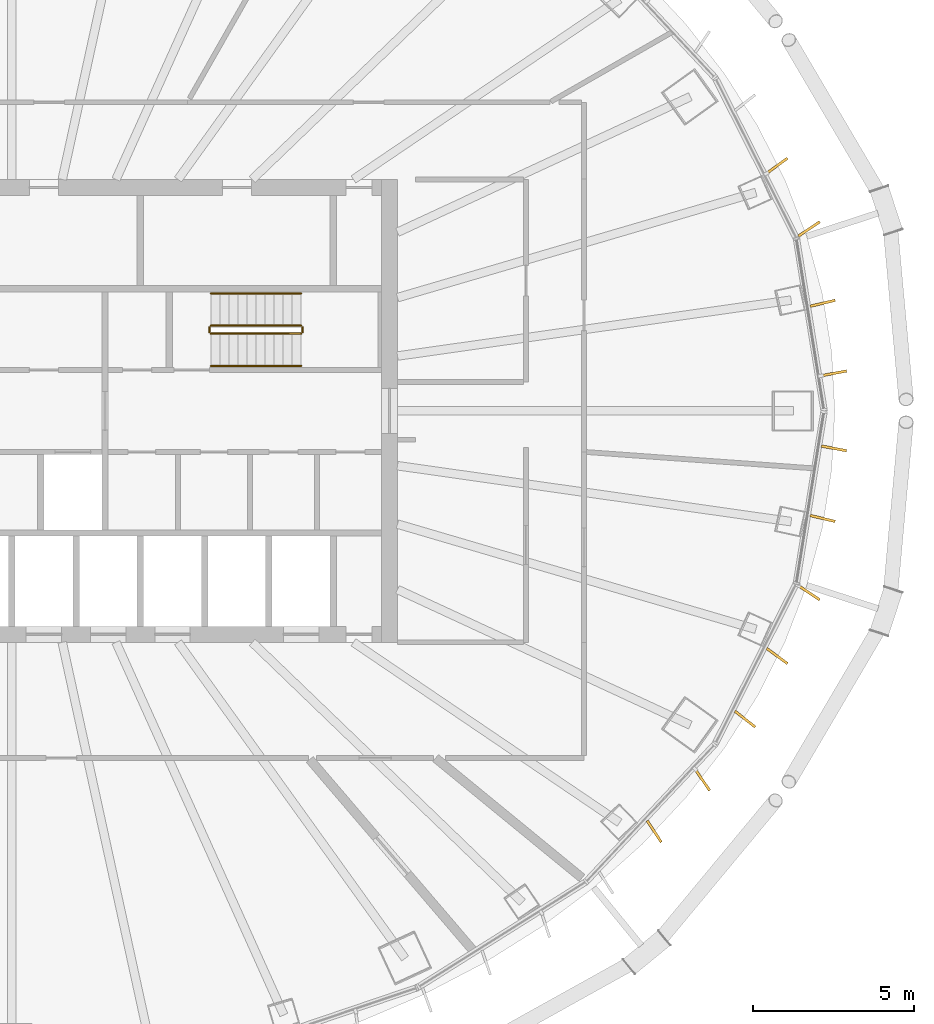
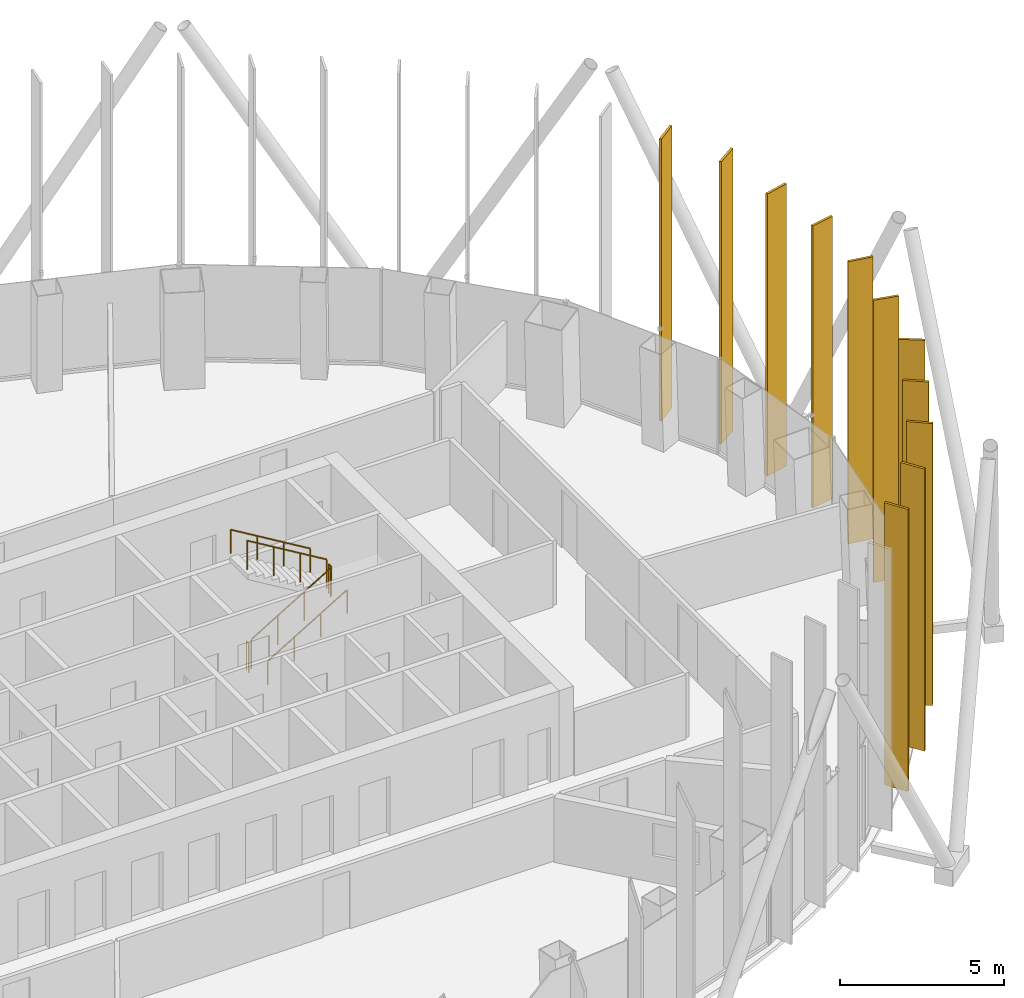
# One storey, part 18 of 19: 11 shading devices, 6 railings.
"""IFC4 building model written with IfcOpenShell, lengths in metres."""

from ifc_helpers import new_model, si_unit, direction, frame, origin, origin_2d, place, context, subcontext, project, spatial, rectangle, circle, extrude, material, layer, layer_set, type_object, element, save


model = new_model("IFC4")

# Units and contexts
model_context = context("Model", 3, precision=1e-05, world=origin(), true_north=direction((0.0, 1.0)))
body_context = subcontext(model_context, "Body", "Model", "MODEL_VIEW")
ifc_project = project(units=[si_unit("LENGTHUNIT", "METRE"), si_unit("AREAUNIT", "SQUARE_METRE"), si_unit("VOLUMEUNIT", "CUBIC_METRE"), si_unit("PLANEANGLEUNIT", "RADIAN"), si_unit("MASSUNIT", "GRAM", prefix="KILO")], contexts=[model_context])

# Site, building, storey
site_placement = place(None, origin())
site = spatial("IfcSite", under=ifc_project, at=site_placement, CompositionType="ELEMENT")
building_placement = place(site_placement, origin())
building = spatial("IfcBuilding", under=site, at=building_placement, Name="Siaravel Broadcast Tower", CompositionType="ELEMENT")
storey_placement = place(building_placement, frame((0.0, 0.0, 119.300048828125)))
storey = spatial("IfcBuildingStorey", under=building, at=storey_placement, Name="L28", CompositionType="ELEMENT", Elevation=119.300048828125)

# Shading devices
ifc_material_1 = material(Name="Bronze anodised aluminium", Category="aluminium")
ifc_layer = layer(ifc_material_1, 0.080078125)
ifc_layer_set = layer_set([ifc_layer], Name="Bronze anodised aluminium")
shading_device_type = type_object("IfcShadingDeviceType", Name="Bronze fin zone 2", PredefinedType="USERDEFINED", material=ifc_layer_set)
for number, where, z_axis, x_axis, name in (
    (1, (25.57763671875, 1.16748046875, 0.300048828125), (0.0, 0.0, 1.0), (0.982943054, 0.183910177, 0.0), "Bronze fin L28-01"),
    (2, (25.226318359375, 3.347412109375, 0.300048828125), (0.0, 0.0, 1.0), (0.972393954, 0.233345233, 0.0), "Bronze fin L28-02"),
    (3, (24.802490234375, 5.6591796875, 0.300048828125), (0.0, 0.0, 1.0), (0.830273079, 0.557356811, 0.0), "Bronze fin L28-03"),
    (4, (23.80615234375, 7.624755859375, 0.300048828125), (0.0, 0.0, 1.0), (0.807137574, 0.590363394, 0.0), "Bronze fin L28-04"),
    (5, (19.985107421875, -13.081787109375, 0.300048828125), (0.0, 0.0, 1.0), (0.548520906, -0.83613684, 0.0), "Bronze fin L28-60"),
    (6, (21.48583984375, -11.481689453125, 0.300048828125), (0.0, 0.0, 1.0), (0.561615585, -0.827398293, 0.0), "Bronze fin L28-61"),
    (7, (22.810791015625, -9.587890625, 0.300048828125), (0.0, 0.0, 1.0), (0.786810082, -0.617195184, 0.0), "Bronze fin L28-62"),
    (8, (23.80615234375, -7.624755859375, 0.300048828125), (0.0, 0.0, 1.0), (0.807137574, -0.590363394, 0.0), "Bronze fin L28-63"),
    (9, (24.802490234375, -5.6591796875, 0.300048828125), (0.0, 0.0, 1.0), (0.830273079, -0.557356811, 0.0), "Bronze fin L28-64"),
    (10, (25.226318359375, -3.347412109375, 0.300048828125), (0.0, 0.0, 1.0), (0.972393954, -0.233345233, 0.0), "Bronze fin L28-65"),
    (11, (25.57763671875, -1.16748046875, 0.300048828125), (0.0, 0.0, 1.0), (0.982943054, -0.183910177, 0.0), "Bronze fin L28-66"),
):
    element("IfcShadingDevice", number, at=place(storey_placement, frame(where, z_axis=z_axis, x_axis=x_axis)), inside=storey, type_object=shading_device_type, Name=name, ObjectType="FIN", PredefinedType="USERDEFINED", context=body_context, shape_type="SweptSolid", body=[
        extrude(rectangle(XDim=0.800048828125, YDim=0.080078125, at=origin_2d()), origin(), (0.0, 0.0, 1.0), 10.5),
    ])

# Railings
ifc_material_2 = material(Name="Stainless steel 316L", Category="steel")
railing_type_1 = type_object("IfcRailingType", Name="Stair guard 1100", PredefinedType="GUARDRAIL", material=ifc_material_2)
railing_1_placement = place(storey_placement, frame((6.199951171875, 2.39990234375, 0.168212890625)))
element("IfcRailing", 12, at=railing_1_placement, inside=storey, type_object=railing_type_1, Name="L28 ST-2 stair guard 1", PredefinedType="GUARDRAIL", context=body_context, shape_type="SweptSolid", body=[
    extrude(circle(Radius=0.02392578125, at=origin_2d()), frame((0.0, 0.0, 1.076171875), z_axis=(0.857275203, 0.0, 0.514858453), x_axis=(0.0, 1.0, 0.0)), (0.0, 0.0, 1.0), 3.26611328125),
    extrude(circle(Radius=0.02099609375, at=origin_2d()), origin(), (0.0, 0.0, 1.0), 1.052001953125),
    extrude(circle(Radius=0.02099609375, at=origin_2d()), frame((0.933349609375, 0.0, 0.560546875)), (0.0, 0.0, 1.0), 1.052001953125),
    extrude(circle(Radius=0.02099609375, at=origin_2d()), frame((1.86669921875, 0.0, 1.12109375)), (0.0, 0.0, 1.0), 1.052001953125),
    extrude(circle(Radius=0.02099609375, at=origin_2d()), frame((2.800048828125, 0.0, 1.681640625)), (0.0, 0.0, 1.0), 1.052001953125),
])
railing_2_placement = place(storey_placement, frame((9.050048828125, 2.449951171875, 1.849853515625)))
element("IfcRailing", 13, at=railing_2_placement, inside=storey, type_object=railing_type_1, Name="L28 ST-2 stair guard 2", PredefinedType="GUARDRAIL", context=body_context, shape_type="SweptSolid", body=[
    extrude(circle(Radius=0.02392578125, at=origin_2d()), frame((0.0, 0.0, 1.076171875), z_axis=(0.0, 1.0, 0.0), x_axis=(-1.0, 0.0, 0.0)), (0.0, 0.0, 1.0), 0.150146484375),
    extrude(circle(Radius=0.02099609375, at=origin_2d()), origin(), (0.0, 0.0, 1.0), 1.052001953125),
    extrude(circle(Radius=0.02099609375, at=origin_2d()), frame((0.0, 0.150146484375, 0.0)), (0.0, 0.0, 1.0), 1.052001953125),
])
railing_3_placement = place(storey_placement, frame((9.0, 2.64990234375, 2.01806640625)))
element("IfcRailing", 14, at=railing_3_placement, inside=storey, type_object=railing_type_1, Name="L28 ST-2 stair guard 3", PredefinedType="GUARDRAIL", context=body_context, shape_type="SweptSolid", body=[
    extrude(circle(Radius=0.02392578125, at=origin_2d()), frame((0.0, 0.0, 1.076171875), z_axis=(-0.857242211, 0.0, 0.514913383), x_axis=(0.0, -1.0, 0.0)), (0.0, 0.0, 1.0), 3.266357421875),
    extrude(circle(Radius=0.02099609375, at=origin_2d()), origin(), (0.0, 0.0, 1.0), 1.052001953125),
    extrude(circle(Radius=0.02099609375, at=origin_2d()), frame((-0.933349609375, 0.0, 0.560546875)), (0.0, 0.0, 1.0), 1.052001953125),
    extrude(circle(Radius=0.02099609375, at=origin_2d()), frame((-1.86669921875, 0.0, 1.121337890625)), (0.0, 0.0, 1.0), 1.052001953125),
    extrude(circle(Radius=0.02099609375, at=origin_2d()), frame((-2.800048828125, 0.0, 1.681884765625)), (0.0, 0.0, 1.0), 1.052001953125),
])
railing_4_placement = place(storey_placement, frame((6.14990234375, 2.449951171875, 0.0)))
element("IfcRailing", 15, at=railing_4_placement, inside=storey, type_object=railing_type_1, Name="L28 ST-2 stair guard 4", PredefinedType="GUARDRAIL", context=body_context, shape_type="SweptSolid", body=[
    extrude(circle(Radius=0.02392578125, at=origin_2d()), frame((0.0, 0.0, 1.076171875), z_axis=(0.0, 1.0, 0.0), x_axis=(-1.0, 0.0, 0.0)), (0.0, 0.0, 1.0), 0.150146484375),
    extrude(circle(Radius=0.02099609375, at=origin_2d()), origin(), (0.0, 0.0, 1.0), 1.052001953125),
    extrude(circle(Radius=0.02099609375, at=origin_2d()), frame((0.0, 0.150146484375, 0.0)), (0.0, 0.0, 1.0), 1.052001953125),
])
railing_type_2 = type_object("IfcRailingType", Name="Stair handrail 900", PredefinedType="HANDRAIL", material=ifc_material_2)
railing_5_placement = place(storey_placement, frame((6.199951171875, 1.39990234375, 0.168212890625)))
element("IfcRailing", 16, at=railing_5_placement, inside=storey, type_object=railing_type_2, Name="L28 ST-2 stair handrail 1", PredefinedType="HANDRAIL", context=body_context, shape_type="SweptSolid", body=[
    extrude(circle(Radius=0.02392578125, at=origin_2d()), frame((0.0, 0.0, 0.8759765625), z_axis=(0.857275203, 0.0, 0.514858453), x_axis=(0.0, 1.0, 0.0)), (0.0, 0.0, 1.0), 3.26611328125),
    extrude(circle(Radius=0.02099609375, at=origin_2d()), origin(), (0.0, 0.0, 1.0), 0.851806640625),
    extrude(circle(Radius=0.02099609375, at=origin_2d()), frame((0.933349609375, 0.0, 0.560546875)), (0.0, 0.0, 1.0), 0.851806640625),
    extrude(circle(Radius=0.02099609375, at=origin_2d()), frame((1.86669921875, 0.0, 1.12109375)), (0.0, 0.0, 1.0), 0.851806640625),
    extrude(circle(Radius=0.02099609375, at=origin_2d()), frame((2.800048828125, 0.0, 1.681640625)), (0.0, 0.0, 1.0), 0.851806640625),
])
railing_6_placement = place(storey_placement, frame((9.0, 3.64990234375, 2.01806640625)))
element("IfcRailing", 17, at=railing_6_placement, inside=storey, type_object=railing_type_2, Name="L28 ST-2 stair handrail 2", PredefinedType="HANDRAIL", context=body_context, shape_type="SweptSolid", body=[
    extrude(circle(Radius=0.02392578125, at=origin_2d()), frame((0.0, 0.0, 0.8759765625), z_axis=(-0.857242211, 0.0, 0.514913383), x_axis=(0.0, -1.0, 0.0)), (0.0, 0.0, 1.0), 3.266357421875),
    extrude(circle(Radius=0.02099609375, at=origin_2d()), origin(), (0.0, 0.0, 1.0), 0.851806640625),
    extrude(circle(Radius=0.02099609375, at=origin_2d()), frame((-0.933349609375, 0.0, 0.560546875)), (0.0, 0.0, 1.0), 0.851806640625),
    extrude(circle(Radius=0.02099609375, at=origin_2d()), frame((-1.86669921875, 0.0, 1.121337890625)), (0.0, 0.0, 1.0), 0.851806640625),
    extrude(circle(Radius=0.02099609375, at=origin_2d()), frame((-2.800048828125, 0.0, 1.681884765625)), (0.0, 0.0, 1.0), 0.851806640625),
])

save(model, "model.ifc")
